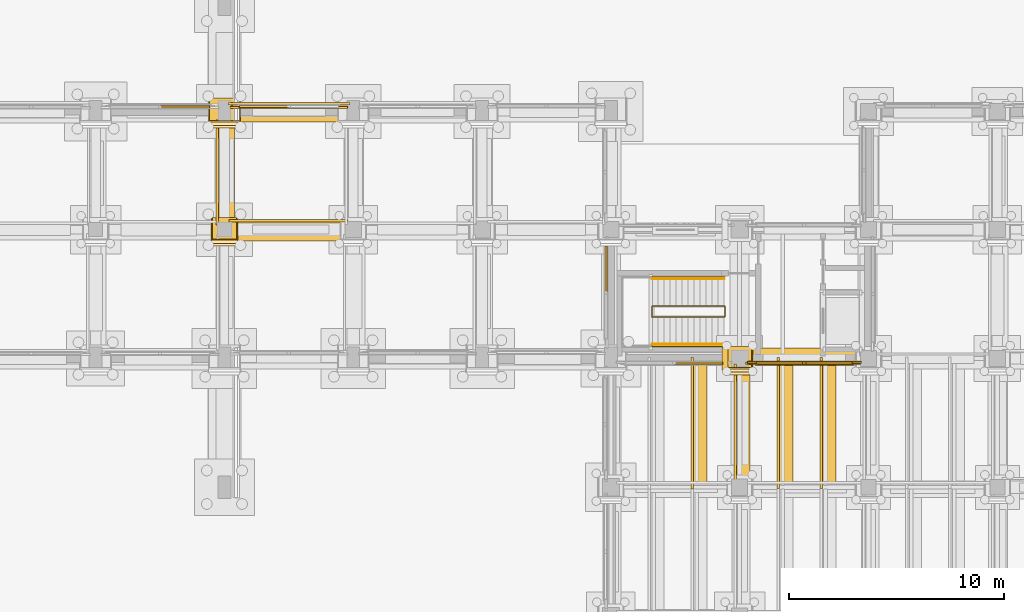
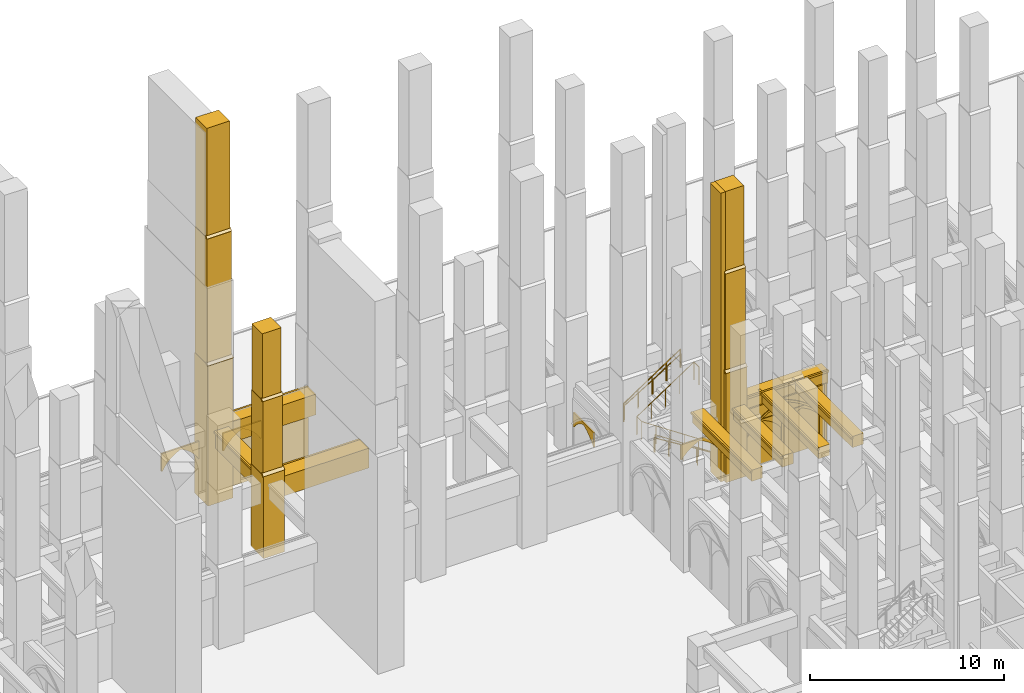
# One storey, part 118 of 135: 43 coverings, 5 railings.
"""IFC4 building model written with IfcOpenShell, lengths in metres."""

from ifc_helpers import new_model, si_unit, direction, frame, origin, origin_2d, place, context, subcontext, project, spatial, polyline, rectangle, circle, outline, extrude, material, type_object, element, save


model = new_model("IFC4")

# Units and contexts
model_context = context("Model", 3, precision=1e-05, world=origin(), true_north=direction((0.0, 1.0)))
body_context = subcontext(model_context, "Body", "Model", "MODEL_VIEW")
ifc_project = project(units=[si_unit("LENGTHUNIT", "METRE"), si_unit("AREAUNIT", "SQUARE_METRE"), si_unit("VOLUMEUNIT", "CUBIC_METRE"), si_unit("PLANEANGLEUNIT", "RADIAN"), si_unit("MASSUNIT", "GRAM", prefix="KILO")], contexts=[model_context])

# Site, building, storey
site_placement = place(None, origin())
site = spatial("IfcSite", under=ifc_project, at=site_placement, CompositionType="ELEMENT")
building_placement = place(site_placement, origin())
building = spatial("IfcBuilding", under=site, at=building_placement, Name="Cumevento Cable Car Station", CompositionType="ELEMENT")
storey_placement = place(building_placement, origin())
storey = spatial("IfcBuildingStorey", under=building, at=storey_placement, Name="L01", CompositionType="ELEMENT", Elevation=0.0)

# Railings
ifc_material_1 = material(Name="Painted Galvanised Architectural Steel", Category="steel")
railing_type_1 = type_object("IfcRailingType", Name="Stair Guardrail GR-S115", PredefinedType="GUARDRAIL", material=ifc_material_1)
railing_1_placement = place(storey_placement, frame((123.280029296875, 46.929931640625, 0.0)))
element("IfcRailing", 1, at=railing_1_placement, inside=storey, type_object=railing_type_1, Name="Stair Well Inner Guardrail ST-06-L01", PredefinedType="GUARDRAIL", context=body_context, shape_type="SweptSolid", body=[
    extrude(circle(Radius=0.02392578125, at=origin_2d()), frame((0.0, 0.0, 1.1259765625), z_axis=(-0.830915400975, 0.0, 0.556398774641), x_axis=(0.0, -1.0, 0.0)), (0.0, 0.0, 1.0), 4.0439453125),
    extrude(circle(Radius=0.02392578125, at=origin_2d()), frame((-3.360107421875, 0.0, 3.3759765625), z_axis=(0.0, 1.0, 0.0), x_axis=(-1.0, 0.0, 0.0)), (0.0, 0.0, 1.0), 0.510009765625),
    extrude(circle(Radius=0.02392578125, at=origin_2d()), frame((-3.360107421875, 0.510009765625, 3.3759765625), z_axis=(0.833193183746, 0.0, 0.552982023722), x_axis=(0.0, 1.0, 0.0)), (0.0, 0.0, 1.0), 4.06884765625),
    extrude(circle(Radius=0.02392578125, at=origin_2d()), frame((0.030029296875, 0.510009765625, 5.6259765625), z_axis=(0.0, -1.0, 0.0), x_axis=(1.0, 0.0, 0.0)), (0.0, 0.0, 1.0), 0.510009765625),
    extrude(circle(Radius=0.02001953125, at=origin_2d()), origin(), (0.0, 0.0, 1.0), 1.101806640625),
    extrude(circle(Radius=0.02001953125, at=origin_2d()), frame((-0.840087890625, 0.0, 0.5625)), (0.0, 0.0, 1.0), 1.101806640625),
    extrude(circle(Radius=0.02001953125, at=origin_2d()), frame((-1.68017578125, 0.0, 1.125)), (0.0, 0.0, 1.0), 1.101806640625),
    extrude(circle(Radius=0.02001953125, at=origin_2d()), frame((-2.52001953125, 0.0, 1.6875)), (0.0, 0.0, 1.0), 1.101806640625),
    extrude(circle(Radius=0.02001953125, at=origin_2d()), frame((-3.360107421875, 0.0, 2.25)), (0.0, 0.0, 1.0), 1.101806640625),
    extrude(circle(Radius=0.02001953125, at=origin_2d()), frame((-3.360107421875, 0.510009765625, 2.25)), (0.0, 0.0, 1.0), 1.101806640625),
    extrude(circle(Radius=0.02001953125, at=origin_2d()), frame((-2.5126953125, 0.510009765625, 2.8125)), (0.0, 0.0, 1.0), 1.101806640625),
    extrude(circle(Radius=0.02001953125, at=origin_2d()), frame((-1.6650390625, 0.510009765625, 3.375)), (0.0, 0.0, 1.0), 1.101806640625),
    extrude(circle(Radius=0.02001953125, at=origin_2d()), frame((-0.8173828125, 0.510009765625, 3.9375)), (0.0, 0.0, 1.0), 1.101806640625),
    extrude(circle(Radius=0.02001953125, at=origin_2d()), frame((0.030029296875, 0.510009765625, 4.5)), (0.0, 0.0, 1.0), 1.101806640625),
    extrude(circle(Radius=0.02001953125, at=origin_2d()), frame((0.030029296875, 0.0, 4.5)), (0.0, 0.0, 1.0), 1.101806640625),
])
railing_2_placement = place(storey_placement, frame((123.280029296875, 45.580078125, 0.0)))
element("IfcRailing", 2, at=railing_2_placement, inside=storey, type_object=railing_type_1, Name="Stair Outer Guardrail ST-06-L01 F1", PredefinedType="GUARDRAIL", context=body_context, shape_type="SweptSolid", body=[
    extrude(circle(Radius=0.02392578125, at=origin_2d()), frame((0.0, 0.0, 1.1259765625), z_axis=(-0.830915400975, 0.0, 0.556398774641), x_axis=(0.0, -1.0, 0.0)), (0.0, 0.0, 1.0), 4.0439453125),
    extrude(circle(Radius=0.02001953125, at=origin_2d()), origin(), (0.0, 0.0, 1.0), 1.101806640625),
    extrude(circle(Radius=0.02001953125, at=origin_2d()), frame((-0.840087890625, 0.0, 0.5625)), (0.0, 0.0, 1.0), 1.101806640625),
    extrude(circle(Radius=0.02001953125, at=origin_2d()), frame((-1.68017578125, 0.0, 1.125)), (0.0, 0.0, 1.0), 1.101806640625),
    extrude(circle(Radius=0.02001953125, at=origin_2d()), frame((-2.52001953125, 0.0, 1.6875)), (0.0, 0.0, 1.0), 1.101806640625),
    extrude(circle(Radius=0.02001953125, at=origin_2d()), frame((-3.360107421875, 0.0, 2.25)), (0.0, 0.0, 1.0), 1.101806640625),
])
railing_3_placement = place(storey_placement, frame((119.919921875, 48.7900390625, 2.25)))
element("IfcRailing", 3, at=railing_3_placement, inside=storey, type_object=railing_type_1, Name="Stair Outer Guardrail ST-06-L01 F2", PredefinedType="GUARDRAIL", context=body_context, shape_type="SweptSolid", body=[
    extrude(circle(Radius=0.02392578125, at=origin_2d()), frame((0.0, 0.0, 1.1259765625), z_axis=(0.830915400975, 0.0, 0.556398774641), x_axis=(0.0, 1.0, 0.0)), (0.0, 0.0, 1.0), 4.0439453125),
    extrude(circle(Radius=0.02001953125, at=origin_2d()), origin(), (0.0, 0.0, 1.0), 1.101806640625),
    extrude(circle(Radius=0.02001953125, at=origin_2d()), frame((0.840087890625, 0.0, 0.5625)), (0.0, 0.0, 1.0), 1.101806640625),
    extrude(circle(Radius=0.02001953125, at=origin_2d()), frame((1.68017578125, 0.0, 1.125)), (0.0, 0.0, 1.0), 1.101806640625),
    extrude(circle(Radius=0.02001953125, at=origin_2d()), frame((2.52001953125, 0.0, 1.6875)), (0.0, 0.0, 1.0), 1.101806640625),
    extrude(circle(Radius=0.02001953125, at=origin_2d()), frame((3.360107421875, 0.0, 2.25)), (0.0, 0.0, 1.0), 1.101806640625),
])
ifc_material_2 = material(Name="Brushed Stainless Steel Handrail Tube", Category="steel")
railing_type_2 = type_object("IfcRailingType", Name="Stair Handrail HR-090", PredefinedType="HANDRAIL", material=ifc_material_2)
railing_4_placement = place(storey_placement, frame((123.280029296875, 45.659912109375, 0.17626953125)))
element("IfcRailing", 4, at=railing_4_placement, inside=storey, type_object=railing_type_2, Name="Stair Pitch Handrail ST-06-L01 F1", PredefinedType="HANDRAIL", context=body_context, shape_type="SweptSolid", body=[
    extrude(circle(Radius=0.02099609375, at=origin_2d()), frame((0.0, 0.0, 0.87890625), z_axis=(-0.850623216509, 0.0, 0.525775754039), x_axis=(0.0, -1.0, 0.0)), (0.0, 0.0, 1.0), 3.9501953125),
    extrude(circle(Radius=0.01611328125, at=origin_2d()), origin(), (0.0, 0.0, 1.0), 0.85791015625),
    extrude(circle(Radius=0.01611328125, at=origin_2d()), frame((-0.840087890625, 0.0, 0.519287109375)), (0.0, 0.0, 1.0), 0.85791015625),
    extrude(circle(Radius=0.01611328125, at=origin_2d()), frame((-1.68017578125, 0.0, 1.03857421875)), (0.0, 0.0, 1.0), 0.85791015625),
    extrude(circle(Radius=0.01611328125, at=origin_2d()), frame((-2.52001953125, 0.0, 1.5576171875)), (0.0, 0.0, 1.0), 0.85791015625),
    extrude(circle(Radius=0.01611328125, at=origin_2d()), frame((-3.360107421875, 0.0, 2.076904296875)), (0.0, 0.0, 1.0), 0.85791015625),
])
railing_5_placement = place(storey_placement, frame((119.919921875, 48.7099609375, 2.42626953125)))
element("IfcRailing", 5, at=railing_5_placement, inside=storey, type_object=railing_type_2, Name="Stair Pitch Handrail ST-06-L01 F2", PredefinedType="HANDRAIL", context=body_context, shape_type="SweptSolid", body=[
    extrude(circle(Radius=0.02099609375, at=origin_2d()), frame((0.0, 0.0, 0.87890625), z_axis=(0.850623216509, 0.0, 0.525775754039), x_axis=(0.0, 1.0, 0.0)), (0.0, 0.0, 1.0), 3.9501953125),
    extrude(circle(Radius=0.01611328125, at=origin_2d()), origin(), (0.0, 0.0, 1.0), 0.85791015625),
    extrude(circle(Radius=0.01611328125, at=origin_2d()), frame((0.840087890625, 0.0, 0.519287109375)), (0.0, 0.0, 1.0), 0.85791015625),
    extrude(circle(Radius=0.01611328125, at=origin_2d()), frame((1.68017578125, 0.0, 1.03857421875)), (0.0, 0.0, 1.0), 0.85791015625),
    extrude(circle(Radius=0.01611328125, at=origin_2d()), frame((2.52001953125, 0.0, 1.5576171875)), (0.0, 0.0, 1.0), 0.85791015625),
    extrude(circle(Radius=0.01611328125, at=origin_2d()), frame((3.360107421875, 0.0, 2.076904296875)), (0.0, 0.0, 1.0), 0.85791015625),
])

# Coverings
ifc_material_3 = material(Name="Gnaisse Facoidal Stone Ashlar 85 MPa", Category="masonry")
covering_type = type_object("IfcCoveringType", Name="Gnaisse Ashlar Cladding CV-CL01", PredefinedType="CLADDING", material=ifc_material_3)
covering_1_placement = place(storey_placement, frame((100.0, 50.909912109375, -0.06005859375), z_axis=(0.0, 0.0, 1.0), x_axis=(1.0, 0.0, 0.0)))
element("IfcCovering", 6, at=covering_1_placement, inside=storey, type_object=covering_type, Name="Stepped Gothic Stone Buttress Tier 1 bt:100.0:51.0", PredefinedType="CLADDING", context=body_context, shape_type="SweptSolid", body=[
    extrude(rectangle(XDim=1.239990234375, YDim=1.300048828125, at=origin_2d()), origin(), (0.0, 0.0, 1.0), 5.175537109375),
])
covering_2_placement = place(storey_placement, frame((99.360107421875, 50.239990234375, 5.095703125), z_axis=(0.0, -0.711135781079, 0.703054692658), x_axis=(1.0, 0.0, 0.0)))
element("IfcCovering", 7, at=covering_2_placement, inside=storey, type_object=covering_type, Name="Gothic Buttress Sloped Stone Weathering 1 bt:100.0:51.0", PredefinedType="CLADDING", context=body_context, shape_type="SweptSolid", body=[
    extrude(outline(polyline([(0.0, 0.0), (1.27978515625, 0.0), (1.27978515625, 0.24169083397703695), (0.0, 0.24169083397703695), (0.0, 0.0)])), origin(), (0.0, 0.0, -1.0), 0.090087890625),
])
covering_3_placement = place(storey_placement, frame((100.0, 50.969970703125, 4.84326171875), z_axis=(0.0, 0.0, 1.0), x_axis=(1.0, 0.0, 0.0)))
element("IfcCovering", 8, at=covering_3_placement, inside=storey, type_object=covering_type, Name="Stepped Gothic Stone Buttress Tier 2 bt:100.0:51.0", PredefinedType="CLADDING", context=body_context, shape_type="SweptSolid", body=[
    extrude(rectangle(XDim=1.179931640625, YDim=1.179931640625, at=origin_2d()), origin(), (0.0, 0.0, 1.0), 4.9033203125),
])
covering_4_placement = place(storey_placement, frame((99.389892578125, 50.360107421875, 9.726318359375), z_axis=(0.0, -0.714474823669, 0.699661151089), x_axis=(1.0, 0.0, 0.0)))
element("IfcCovering", 9, at=covering_4_placement, inside=storey, type_object=covering_type, Name="Gothic Buttress Sloped Stone Weathering 2 bt:100.0:51.0", PredefinedType="CLADDING", context=body_context, shape_type="SweptSolid", body=[
    extrude(outline(polyline([(0.0, 0.0), (1.22021484375, 0.0), (1.22021484375, 0.21424991728737655), (0.0, 0.21424991728737655), (0.0, 0.0)])), origin(), (0.0, 0.0, -1.0), 0.090087890625),
])
covering_5_placement = place(storey_placement, frame((100.0, 51.02001953125, 9.47412109375), z_axis=(0.0, 0.0, 1.0), x_axis=(1.0, 0.0, 0.0)))
element("IfcCovering", 10, at=covering_5_placement, inside=storey, type_object=covering_type, Name="Stepped Gothic Stone Buttress Tier 3 bt:100.0:51.0", PredefinedType="CLADDING", context=body_context, shape_type="SweptSolid", body=[
    extrude(rectangle(XDim=1.1201171875, YDim=1.080078125, at=origin_2d()), origin(), (0.0, 0.0, 1.0), 4.426025390625),
])
covering_6_placement = place(storey_placement, frame((100.0, 56.4423828125, -0.06005859375), z_axis=(0.0, 0.0, 1.0), x_axis=(1.0, 0.0, 0.0)))
element("IfcCovering", 11, at=covering_6_placement, inside=storey, type_object=covering_type, Name="Stepped Gothic Stone Buttress Tier 1 bt:100.0:56.5", PredefinedType="CLADDING", context=body_context, shape_type="SweptSolid", body=[
    extrude(rectangle(XDim=1.489990234375, YDim=1.364990234375, at=origin_2d()), origin(), (0.0, 0.0, 1.0), 8.823486328125),
])
covering_7_placement = place(storey_placement, frame((99.235107421875, 55.739990234375, 8.74365234375), z_axis=(0.0, -0.711135781079, 0.703054692658), x_axis=(1.0, 0.0, 0.0)))
element("IfcCovering", 12, at=covering_7_placement, inside=storey, type_object=covering_type, Name="Gothic Buttress Sloped Stone Weathering 1 bt:100.0:56.5", PredefinedType="CLADDING", context=body_context, shape_type="SweptSolid", body=[
    extrude(outline(polyline([(0.0, 0.0), (1.52978515625, 0.0), (1.52978515625, 0.24169083397703695), (0.0, 0.24169083397703695), (0.0, 0.0)])), origin(), (0.0, 0.0, -1.0), 0.090087890625),
])
covering_8_placement = place(storey_placement, frame((100.0, 56.50244140625, 8.29931640625), z_axis=(0.0, 0.0, 1.0), x_axis=(1.0, 0.0, 0.0)))
element("IfcCovering", 13, at=covering_8_placement, inside=storey, type_object=covering_type, Name="Stepped Gothic Stone Buttress Tier 2 bt:100.0:56.5", PredefinedType="CLADDING", context=body_context, shape_type="SweptSolid", body=[
    extrude(rectangle(XDim=1.429931640625, YDim=1.2451171875, at=origin_2d()), origin(), (0.0, 0.0, 1.0), 8.359130859375),
])
covering_9_placement = place(storey_placement, frame((99.264892578125, 55.860107421875, 16.638427734375), z_axis=(0.0, -0.714474823669, 0.699661151089), x_axis=(1.0, 0.0, 0.0)))
element("IfcCovering", 14, at=covering_9_placement, inside=storey, type_object=covering_type, Name="Gothic Buttress Sloped Stone Weathering 2 bt:100.0:56.5", PredefinedType="CLADDING", context=body_context, shape_type="SweptSolid", body=[
    extrude(outline(polyline([(0.0, 0.0), (1.47021484375, 0.0), (1.47021484375, 0.21424991728737658), (0.0, 0.21424991728737658), (0.0, 0.0)])), origin(), (0.0, 0.0, -1.0), 0.090087890625),
])
covering_10_placement = place(storey_placement, frame((100.0, 56.552490234375, 16.19384765625), z_axis=(0.0, 0.0, 1.0), x_axis=(1.0, 0.0, 0.0)))
element("IfcCovering", 15, at=covering_10_placement, inside=storey, type_object=covering_type, Name="Stepped Gothic Stone Buttress Tier 3 bt:100.0:56.5", PredefinedType="CLADDING", context=body_context, shape_type="SweptSolid", body=[
    extrude(rectangle(XDim=1.3701171875, YDim=1.14501953125, at=origin_2d()), origin(), (0.0, 0.0, 1.0), 7.305908203125),
])
covering_11_placement = place(storey_placement, frame((124.0, 44.909912109375, -0.06005859375), z_axis=(0.0, 0.0, 1.0), x_axis=(1.0, 0.0, 0.0)))
element("IfcCovering", 16, at=covering_11_placement, inside=storey, type_object=covering_type, Name="Stepped Gothic Stone Buttress Tier 1 bt:124.0:45.0", PredefinedType="CLADDING", context=body_context, shape_type="SweptSolid", body=[
    extrude(rectangle(XDim=1.239990234375, YDim=1.300048828125, at=origin_2d()), origin(), (0.0, 0.0, 1.0), 6.885498046875),
])
covering_12_placement = place(storey_placement, frame((123.360107421875, 44.239990234375, 6.8056640625), z_axis=(0.0, -0.711135781079, 0.703054692658), x_axis=(1.0, 0.0, 0.0)))
element("IfcCovering", 17, at=covering_12_placement, inside=storey, type_object=covering_type, Name="Gothic Buttress Sloped Stone Weathering 1 bt:124.0:45.0", PredefinedType="CLADDING", context=body_context, shape_type="SweptSolid", body=[
    extrude(outline(polyline([(0.0, 0.0), (1.27978515625, 0.0), (1.27978515625, 0.24169083397703695), (0.0, 0.24169083397703695), (0.0, 0.0)])), origin(), (0.0, 0.0, -1.0), 0.090087890625),
])
covering_13_placement = place(storey_placement, frame((124.0, 44.969970703125, 6.46337890625), z_axis=(0.0, 0.0, 1.0), x_axis=(1.0, 0.0, 0.0)))
element("IfcCovering", 18, at=covering_13_placement, inside=storey, type_object=covering_type, Name="Stepped Gothic Stone Buttress Tier 2 bt:124.0:45.0", PredefinedType="CLADDING", context=body_context, shape_type="SweptSolid", body=[
    extrude(rectangle(XDim=1.179931640625, YDim=1.179931640625, at=origin_2d()), origin(), (0.0, 0.0, 1.0), 6.523193359375),
])
covering_14_placement = place(storey_placement, frame((123.389892578125, 44.360107421875, 12.96630859375), z_axis=(0.0, -0.714474823669, 0.699661151089), x_axis=(1.0, 0.0, 0.0)))
element("IfcCovering", 19, at=covering_14_placement, inside=storey, type_object=covering_type, Name="Gothic Buttress Sloped Stone Weathering 2 bt:124.0:45.0", PredefinedType="CLADDING", context=body_context, shape_type="SweptSolid", body=[
    extrude(outline(polyline([(0.0, 0.0), (1.22021484375, 0.0), (1.22021484375, 0.21424991728737655), (0.0, 0.21424991728737655), (0.0, 0.0)])), origin(), (0.0, 0.0, -1.0), 0.090087890625),
])
covering_15_placement = place(storey_placement, frame((124.0, 45.02001953125, 12.6240234375), z_axis=(0.0, 0.0, 1.0), x_axis=(1.0, 0.0, 0.0)))
element("IfcCovering", 20, at=covering_15_placement, inside=storey, type_object=covering_type, Name="Stepped Gothic Stone Buttress Tier 3 bt:124.0:45.0", PredefinedType="CLADDING", context=body_context, shape_type="SweptSolid", body=[
    extrude(rectangle(XDim=1.1201171875, YDim=1.080078125, at=origin_2d()), origin(), (0.0, 0.0, 1.0), 5.43603515625),
])
covering_16_placement = place(storey_placement, frame((123.320068359375, 45.0, -0.06005859375), z_axis=(0.0, 0.0, 1.0), x_axis=(1.0, 0.0, 0.0)))
element("IfcCovering", 21, at=covering_16_placement, inside=storey, type_object=covering_type, Name="Corner Buttress Stone Return (124.0,45.0)", PredefinedType="CLADDING", context=body_context, shape_type="SweptSolid", body=[
    extrude(rectangle(XDim=0.280029296875, YDim=1.080078125, at=origin_2d()), origin(), (0.0, 0.0, 1.0), 18.1201171875),
])
covering_17_placement = place(storey_placement, frame((102.987548828125, 50.919921875, 3.2900390625), z_axis=(0.0, 0.0, 1.0), x_axis=(1.0, 0.0, 0.0)))
element("IfcCovering", 22, at=covering_17_placement, inside=storey, type_object=covering_type, Name="Gothic Stone Spandrel Stringcourse sc:0142", PredefinedType="CLADDING", context=body_context, shape_type="SweptSolid", body=[
    extrude(rectangle(XDim=5.514892578125, YDim=0.919921875, at=origin_2d()), origin(), (0.0, 0.0, 1.0), 1.239990234375),
])
covering_18_placement = place(storey_placement, frame((102.987548828125, 51.407470703125, 4.400146484375), z_axis=(0.0, 0.0, 1.0), x_axis=(1.0, 0.0, 0.0)))
element("IfcCovering", 23, at=covering_18_placement, inside=storey, type_object=covering_type, Name="Gothic Cornice Dripstone Lip sc:0142", PredefinedType="CLADDING", context=body_context, shape_type="SweptSolid", body=[
    extrude(rectangle(XDim=5.554931640625, YDim=0.114990234375, at=origin_2d()), origin(), (0.0, 0.0, 1.0), 0.1298828125),
])
covering_19_placement = place(storey_placement, frame((103.0, 56.419921875, 3.239990234375), z_axis=(0.0, 0.0, 1.0), x_axis=(1.0, 0.0, 0.0)))
element("IfcCovering", 24, at=covering_19_placement, inside=storey, type_object=covering_type, Name="Gothic Stone Spandrel Stringcourse sc:0147", PredefinedType="CLADDING", context=body_context, shape_type="SweptSolid", body=[
    extrude(rectangle(XDim=5.639892578125, YDim=0.820068359375, at=origin_2d()), origin(), (0.0, 0.0, 1.0), 1.2900390625),
])
covering_20_placement = place(storey_placement, frame((103.0, 56.857421875, 4.400146484375), z_axis=(0.0, 0.0, 1.0), x_axis=(1.0, 0.0, 0.0)))
element("IfcCovering", 25, at=covering_20_placement, inside=storey, type_object=covering_type, Name="Gothic Cornice Dripstone Lip sc:0147", PredefinedType="CLADDING", context=body_context, shape_type="SweptSolid", body=[
    extrude(rectangle(XDim=5.679931640625, YDim=0.114990234375, at=origin_2d()), origin(), (0.0, 0.0, 1.0), 0.1298828125),
])
covering_21_placement = place(storey_placement, frame((100.08740234375, 53.66259765625, 3.43994140625), z_axis=(0.0, 0.0, 1.0), x_axis=(0.0, 1.0, 0.0)))
element("IfcCovering", 26, at=covering_21_placement, inside=storey, type_object=covering_type, Name="Gothic Stone Spandrel Stringcourse sc:0153", PredefinedType="CLADDING", context=body_context, shape_type="SweptSolid", body=[
    extrude(rectangle(XDim=4.864990234375, YDim=0.784912109375, at=origin_2d()), origin(), (0.0, 0.0, 1.0), 1.090087890625),
])
covering_22_placement = place(storey_placement, frame((99.66748046875, 53.66259765625, 4.400146484375), z_axis=(0.0, 0.0, 1.0), x_axis=(0.0, 1.0, 0.0)))
element("IfcCovering", 27, at=covering_22_placement, inside=storey, type_object=covering_type, Name="Gothic Cornice Dripstone Lip sc:0153", PredefinedType="CLADDING", context=body_context, shape_type="SweptSolid", body=[
    extrude(rectangle(XDim=4.905029296875, YDim=0.114990234375, at=origin_2d()), origin(), (0.0, 0.0, 1.0), 0.1298828125),
])
covering_23_placement = place(storey_placement, frame((127.012451171875, 45.147216796875, 3.611083984375), z_axis=(0.0, 0.0, 1.0), x_axis=(-1.0, 0.0, 0.0)))
element("IfcCovering", 28, at=covering_23_placement, inside=storey, type_object=covering_type, Name="Gothic Stone Spandrel Stringcourse sc:0195", PredefinedType="CLADDING", context=body_context, shape_type="SweptSolid", body=[
    extrude(rectangle(XDim=5.465087890625, YDim=0.66552734375, at=origin_2d()), origin(), (0.0, 0.0, 1.0), 0.87890625),
])
covering_24_placement = place(storey_placement, frame((127.012451171875, 44.787109375, 4.360107421875), z_axis=(0.0, 0.0, 1.0), x_axis=(-1.0, 0.0, 0.0)))
element("IfcCovering", 29, at=covering_24_placement, inside=storey, type_object=covering_type, Name="Gothic Cornice Dripstone Lip sc:0195", PredefinedType="CLADDING", context=body_context, shape_type="SweptSolid", body=[
    extrude(rectangle(XDim=5.5048828125, YDim=0.114990234375, at=origin_2d()), origin(), (0.0, 0.0, 1.0), 0.1298828125),
])
covering_25_placement = place(storey_placement, frame((124.148681640625, 41.987548828125, 3.7958984375), z_axis=(0.0, 0.0, 1.0), x_axis=(0.0, 1.0, 0.0)))
element("IfcCovering", 30, at=covering_25_placement, inside=storey, type_object=covering_type, Name="Gothic Stone Spandrel Stringcourse sc:0200", PredefinedType="CLADDING", context=body_context, shape_type="SweptSolid", body=[
    extrude(rectangle(XDim=5.465087890625, YDim=0.66259765625, at=origin_2d()), origin(), (0.0, 0.0, 1.0), 0.694091796875),
])
covering_26_placement = place(storey_placement, frame((123.7900390625, 41.987548828125, 4.360107421875), z_axis=(0.0, 0.0, 1.0), x_axis=(0.0, 1.0, 0.0)))
element("IfcCovering", 31, at=covering_26_placement, inside=storey, type_object=covering_type, Name="Gothic Cornice Dripstone Lip sc:0200", PredefinedType="CLADDING", context=body_context, shape_type="SweptSolid", body=[
    extrude(rectangle(XDim=5.5048828125, YDim=0.114990234375, at=origin_2d()), origin(), (0.0, 0.0, 1.0), 0.1298828125),
])
covering_27_placement = place(storey_placement, frame((122.14990234375, 41.989013671875, 3.794921875), z_axis=(0.0, 0.0, 1.0), x_axis=(0.0, 1.0, 0.0)))
element("IfcCovering", 32, at=covering_27_placement, inside=storey, type_object=covering_type, Name="Gothic Stone Spandrel Stringcourse sc:0281", PredefinedType="CLADDING", context=body_context, shape_type="SweptSolid", body=[
    extrude(rectangle(XDim=6.093994140625, YDim=0.659912109375, at=origin_2d()), origin(), (0.0, 0.0, 1.0), 0.695068359375),
])
covering_28_placement = place(storey_placement, frame((121.79248046875, 41.989013671875, 4.360107421875), z_axis=(0.0, 0.0, 1.0), x_axis=(0.0, 1.0, 0.0)))
element("IfcCovering", 33, at=covering_28_placement, inside=storey, type_object=covering_type, Name="Gothic Cornice Dripstone Lip sc:0281", PredefinedType="CLADDING", context=body_context, shape_type="SweptSolid", body=[
    extrude(rectangle(XDim=6.134033203125, YDim=0.114990234375, at=origin_2d()), origin(), (0.0, 0.0, 1.0), 0.1298828125),
])
covering_29_placement = place(storey_placement, frame((126.14990234375, 41.998046875, 3.794921875), z_axis=(0.0, 0.0, 1.0), x_axis=(0.0, 1.0, 0.0)))
element("IfcCovering", 34, at=covering_29_placement, inside=storey, type_object=covering_type, Name="Gothic Stone Spandrel Stringcourse sc:0283", PredefinedType="CLADDING", context=body_context, shape_type="SweptSolid", body=[
    extrude(rectangle(XDim=6.056884765625, YDim=0.659912109375, at=origin_2d()), origin(), (0.0, 0.0, 1.0), 0.695068359375),
])
covering_30_placement = place(storey_placement, frame((125.79248046875, 41.998046875, 4.360107421875), z_axis=(0.0, 0.0, 1.0), x_axis=(0.0, 1.0, 0.0)))
element("IfcCovering", 35, at=covering_30_placement, inside=storey, type_object=covering_type, Name="Gothic Cornice Dripstone Lip sc:0283", PredefinedType="CLADDING", context=body_context, shape_type="SweptSolid", body=[
    extrude(rectangle(XDim=6.096923828125, YDim=0.114990234375, at=origin_2d()), origin(), (0.0, 0.0, 1.0), 0.1298828125),
])
covering_31_placement = place(storey_placement, frame((128.14990234375, 41.998046875, 3.794921875), z_axis=(0.0, 0.0, 1.0), x_axis=(0.0, 1.0, 0.0)))
element("IfcCovering", 36, at=covering_31_placement, inside=storey, type_object=covering_type, Name="Gothic Stone Spandrel Stringcourse sc:0285", PredefinedType="CLADDING", context=body_context, shape_type="SweptSolid", body=[
    extrude(rectangle(XDim=6.056884765625, YDim=0.659912109375, at=origin_2d()), origin(), (0.0, 0.0, 1.0), 0.695068359375),
])
covering_32_placement = place(storey_placement, frame((127.79248046875, 41.998046875, 4.360107421875), z_axis=(0.0, 0.0, 1.0), x_axis=(0.0, 1.0, 0.0)))
element("IfcCovering", 37, at=covering_32_placement, inside=storey, type_object=covering_type, Name="Gothic Cornice Dripstone Lip sc:0285", PredefinedType="CLADDING", context=body_context, shape_type="SweptSolid", body=[
    extrude(rectangle(XDim=6.096923828125, YDim=0.114990234375, at=origin_2d()), origin(), (0.0, 0.0, 1.0), 0.1298828125),
])
covering_33_placement = place(storey_placement, frame((97.044921875, 56.5, 2.340087890625), z_axis=(0.0, 0.0, 1.0), x_axis=(1.0, 0.0, 0.0)))
element("IfcCovering", 38, at=covering_33_placement, inside=storey, type_object=covering_type, Name="Gothic Ogival Pointed-Arch Stone Spandrel blind_ogival:0043:sub:1", PredefinedType="CLADDING", context=body_context, shape_type="SweptSolid", body=[
    extrude(outline(polyline([(-0.02001953125, 0.0), (-0.02001953125, 1.115966796875), (2.264892578125, 1.115966796875), (2.264892578125, 0.0), (2.205078125, 0.0), (2.076171875, 0.214111328125), (1.923828125, 0.412109375), (1.75, 0.591552734375), (1.556640625, 0.75), (1.3466796875, 0.88525390625), (1.12255859375, 0.99609375), (0.8984375, 0.88525390625), (0.6884765625, 0.75), (0.4951171875, 0.591552734375), (0.3212890625, 0.412109375), (0.1689453125, 0.214111328125), (0.0400390625, 0.0), (-0.02001953125, 0.0)])), frame((0.0, 0.263916015625, 0.0), z_axis=(0.0, -1.0, 0.0), x_axis=(1.0, 0.0, 0.0)), (0.0, 0.0, 1.0), 0.090087890625),
])
covering_34_placement = place(storey_placement, frame((100.300048828125, 56.5, 0.0), z_axis=(0.0, 0.0, 1.0), x_axis=(1.0, 0.0, 0.0)))
element("IfcCovering", 39, at=covering_34_placement, inside=storey, type_object=covering_type, Name="Exterior Gnaisse Stone Wall Ashlar #44", PredefinedType="CLADDING", context=body_context, shape_type="SweptSolid", body=[
    extrude(outline(polyline([(-0.0400390625, -0.02001953125), (5.43994140625, -0.02001953125), (5.43994140625, 4.52001953125), (-0.0400390625, 4.52001953125), (-0.0400390625, -0.02001953125)])), frame((0.0, 0.237548828125, 0.0), z_axis=(0.0, -1.0, 0.0), x_axis=(1.0, 0.0, 0.0)), (0.0, 0.0, 1.0), 0.0849609375),
])
covering_35_placement = place(storey_placement, frame((100.7099609375, 56.5, 2.340087890625), z_axis=(0.0, 0.0, 1.0), x_axis=(1.0, 0.0, 0.0)))
element("IfcCovering", 40, at=covering_35_placement, inside=storey, type_object=covering_type, Name="Gothic Ogival Pointed-Arch Stone Spandrel blind_ogival:0044:sub:0", PredefinedType="CLADDING", context=body_context, shape_type="SweptSolid", body=[
    extrude(outline(polyline([(-0.02001953125, 0.0), (-0.02001953125, 1.115966796875), (2.264892578125, 1.115966796875), (2.264892578125, 0.0), (2.205078125, 0.0), (2.076171875, 0.214111328125), (1.923828125, 0.412109375), (1.75, 0.591552734375), (1.556640625, 0.75), (1.3466796875, 0.88525390625), (1.12255859375, 0.99609375), (0.8984375, 0.88525390625), (0.6884765625, 0.75), (0.4951171875, 0.591552734375), (0.3212890625, 0.412109375), (0.1689453125, 0.214111328125), (0.0400390625, 0.0), (-0.02001953125, 0.0)])), frame((0.0, 0.276611328125, 0.0), z_axis=(0.0, -1.0, 0.0), x_axis=(1.0, 0.0, 0.0)), (0.0, 0.0, 1.0), 0.090087890625),
])
covering_36_placement = place(storey_placement, frame((123.18994140625, 45.0, 1.918212890625), z_axis=(0.0, 0.0, 1.0), x_axis=(-1.0, 0.0, 0.0)))
element("IfcCovering", 41, at=covering_36_placement, inside=storey, type_object=covering_type, Name="Gothic Ogival Pointed-Arch Stone Spandrel blind_ogival:0167:sub:0", PredefinedType="CLADDING", context=body_context, shape_type="SweptSolid", body=[
    extrude(outline(polyline([(-0.02001953125, 0.0), (-0.02001953125, 0.943603515625), (2.215087890625, 0.943603515625), (2.215087890625, 0.0), (2.155029296875, 0.0), (2.016845703125, 0.179931640625), (1.861083984375, 0.3447265625), (1.689453125, 0.492919921875), (1.503662109375, 0.623046875), (1.3056640625, 0.733642578125), (1.097412109375, 0.82373046875), (0.889404296875, 0.733642578125), (0.69140625, 0.623046875), (0.505615234375, 0.492919921875), (0.333984375, 0.3447265625), (0.17822265625, 0.179931640625), (0.0400390625, 0.0), (-0.02001953125, 0.0)])), frame((0.0, 0.261474609375, 0.0), z_axis=(0.0, -1.0, 0.0), x_axis=(1.0, 0.0, 0.0)), (0.0, 0.0, 1.0), 0.090087890625),
])
covering_37_placement = place(storey_placement, frame((129.625, 45.0, 0.0), z_axis=(0.0, 0.0, 1.0), x_axis=(-1.0, 0.0, 0.0)))
element("IfcCovering", 42, at=covering_37_placement, inside=storey, type_object=covering_type, Name="Exterior Gnaisse Stone Wall Ashlar #169", PredefinedType="CLADDING", context=body_context, shape_type="SweptSolid", body=[
    extrude(outline(polyline([(-0.0400390625, -0.02001953125), (5.264892578125, -0.02001953125), (5.264892578125, 3.69091796875), (-0.0400390625, 3.69091796875), (-0.0400390625, -0.02001953125)])), frame((0.0, 0.222412109375, 0.0), z_axis=(0.0, -1.0, 0.0), x_axis=(1.0, 0.0, 0.0)), (0.0, 0.0, 1.0), 0.0849609375),
])
placement = place(storey_placement, frame((129.445068359375, 45.0, 0.300048828125), z_axis=(0.0, 0.0, 1.0), x_axis=(-1.0, 0.0, 0.0)))
element("IfcCovering", 43, at=placement, inside=storey, type_object=covering_type, Name="Gothic Ogival Pointed-Arch Stone Spandrel blind_ogival:0169", PredefinedType="CLADDING", context=body_context, shape_type="SweptSolid", body=[
    extrude(outline(polyline([(-0.050048828125, 0.0), (-0.050048828125, 3.410888671875), (4.9150390625, 3.410888671875), (4.9150390625, 0.0), (4.60498046875, 0.0), (4.60498046875, 1.755859375), (4.3466796875, 2.029541015625), (4.06787109375, 2.282470703125), (3.770751953125, 2.513427734375), (3.456787109375, 2.720947265625), (3.127685546875, 2.90380859375), (2.78564453125, 3.060791015625), (2.4326171875, 3.191162109375), (2.079345703125, 3.060791015625), (1.7373046875, 2.90380859375), (1.408203125, 2.720947265625), (1.09423828125, 2.513427734375), (0.797119140625, 2.282470703125), (0.518310546875, 2.029541015625), (0.260009765625, 1.755859375), (0.260009765625, 0.0), (-0.050048828125, 0.0)])), frame((0.0, 0.277587890625, 0.0), z_axis=(0.0, -1.0, 0.0), x_axis=(1.0, 0.0, 0.0)), (0.0, 0.0, 1.0), 0.110107421875),
])
covering_39_placement = place(storey_placement, frame((129.445068359375, 45.0, 2.055908203125), z_axis=(0.0, 0.0, 1.0), x_axis=(-1.0, 0.0, 0.0)))
element("IfcCovering", 44, at=covering_39_placement, inside=storey, type_object=covering_type, Name="Gothic Pointed Archivolt Hood Moulding blind_ogival:0169", PredefinedType="CLADDING", context=body_context, shape_type="SweptSolid", body=[
    extrude(outline(polyline([(0.260009765625, 0.0), (0.518310546875, 0.273681640625), (0.797119140625, 0.526611328125), (1.09423828125, 0.757568359375), (1.408203125, 0.965087890625), (1.7373046875, 1.14794921875), (2.079345703125, 1.304931640625), (2.4326171875, 1.435302734375), (2.78564453125, 1.304931640625), (3.127685546875, 1.14794921875), (3.456787109375, 0.965087890625), (3.770751953125, 0.757568359375), (4.06787109375, 0.526611328125), (4.3466796875, 0.273681640625), (4.60498046875, 0.0), (4.72607421875, 0.0), (4.457763671875, 0.301513671875), (4.16650390625, 0.58056640625), (3.85400390625, 0.835693359375), (3.522216796875, 1.0654296875), (3.173095703125, 1.267822265625), (2.80908203125, 1.44189453125), (2.4326171875, 1.58642578125), (2.055908203125, 1.44189453125), (1.69189453125, 1.267822265625), (1.3427734375, 1.0654296875), (1.010986328125, 0.835693359375), (0.698486328125, 0.58056640625), (0.4072265625, 0.301513671875), (0.138916015625, 0.0), (0.260009765625, 0.0)])), frame((0.0, 0.319580078125, 0.0), z_axis=(0.0, -1.0, 0.0), x_axis=(1.0, 0.0, 0.0)), (0.0, 0.0, 1.0), 0.06689453125),
])
element("IfcCovering", 45, at=placement, inside=storey, type_object=covering_type, Name="Gothic Bifora Stone Colonnette blind_ogival:0169 #1", PredefinedType="CLADDING", context=body_context, shape_type="SweptSolid", body=[
    extrude(outline(polyline([(2.357421875, -0.02001953125), (2.507568359375, -0.02001953125), (2.507568359375, 2.502197265625), (2.357421875, 2.502197265625), (2.357421875, -0.02001953125)])), frame((0.0, 0.265380859375, 0.0), z_axis=(0.0, -1.0, 0.0), x_axis=(1.0, 0.0, 0.0)), (0.0, 0.0, 1.0), 0.094970703125),
])
for number, where, z_axis, x_axis, name in (
    (46, (129.215087890625, 45.0, 1.875732421875), (0.0, 0.0, 1.0), (-1.0, 0.0, 0.0), "Gothic Ogival Pointed-Arch Stone Spandrel blind_ogival:0169:sub:0"),
    (47, (126.967529296875, 45.0, 1.875732421875), (0.0, 0.0, 1.0), (-1.0, 0.0, 0.0), "Gothic Ogival Pointed-Arch Stone Spandrel blind_ogival:0169:sub:1"),
):
    element("IfcCovering", number, at=place(storey_placement, frame(where, z_axis=z_axis, x_axis=x_axis)), inside=storey, type_object=covering_type, Name=name, PredefinedType="CLADDING", context=body_context, shape_type="SweptSolid", body=[
        extrude(outline(polyline([(-0.02001953125, 0.0), (-0.02001953125, 0.92626953125), (2.177490234375, 0.92626953125), (2.177490234375, 0.0), (2.117431640625, 0.0), (1.9814453125, 0.176025390625), (1.828369140625, 0.33740234375), (1.65966796875, 0.482666015625), (1.477294921875, 0.60986328125), (1.282958984375, 0.71826171875), (1.078857421875, 0.806396484375), (0.87451171875, 0.71826171875), (0.68017578125, 0.60986328125), (0.497802734375, 0.482666015625), (0.3291015625, 0.33740234375), (0.176025390625, 0.176025390625), (0.0400390625, 0.0), (-0.02001953125, 0.0)])), frame((0.0, 0.261474609375, 0.0), z_axis=(0.0, -1.0, 0.0), x_axis=(1.0, 0.0, 0.0)), (0.0, 0.0, 1.0), 0.090087890625),
    ])
covering_41_placement = place(storey_placement, frame((118.0, 48.1201171875, 1.813720703125), z_axis=(0.0, 0.0, 1.0), x_axis=(0.0, 1.0, 0.0)))
element("IfcCovering", 48, at=covering_41_placement, inside=storey, type_object=covering_type, Name="Gothic Ogival Pointed-Arch Stone Spandrel blind_ogival:0171:sub:1", PredefinedType="CLADDING", context=body_context, shape_type="SweptSolid", body=[
    extrude(outline(polyline([(-0.02001953125, 0.0), (-0.02001953125, 0.90087890625), (2.114990234375, 0.90087890625), (2.114990234375, 0.0), (2.054931640625, 0.0), (1.923095703125, 0.170654296875), (1.7744140625, 0.326904296875), (1.61083984375, 0.467529296875), (1.43408203125, 0.5908203125), (1.24560546875, 0.695556640625), (1.047607421875, 0.781005859375), (0.849365234375, 0.695556640625), (0.660888671875, 0.5908203125), (0.484130859375, 0.467529296875), (0.320556640625, 0.326904296875), (0.171875, 0.170654296875), (0.0400390625, 0.0), (-0.02001953125, 0.0)])), frame((0.0, 0.261474609375, 0.0), z_axis=(0.0, -1.0, 0.0), x_axis=(1.0, 0.0, 0.0)), (0.0, 0.0, 1.0), 0.090087890625),
])

save(model, "model.ifc")
